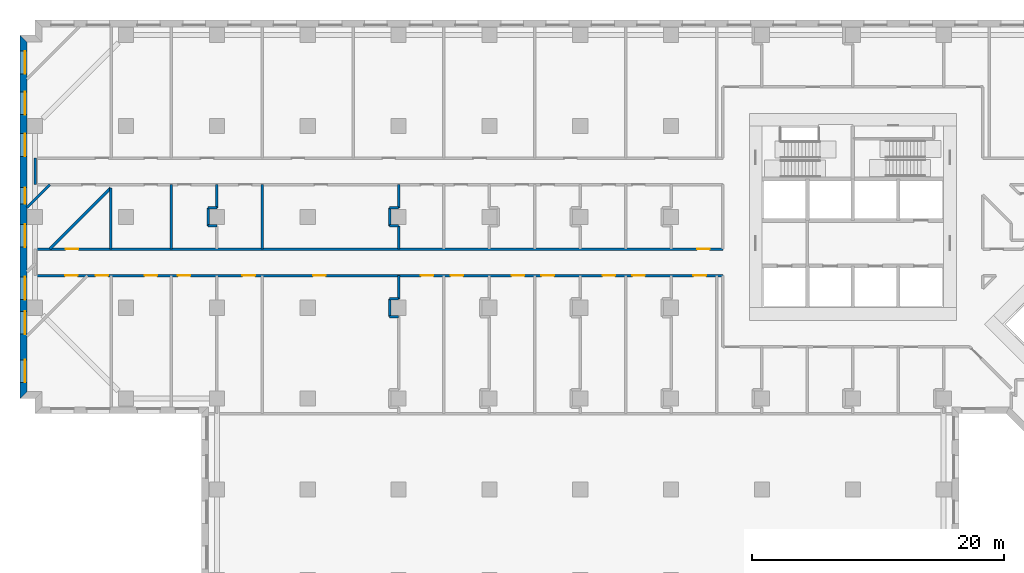
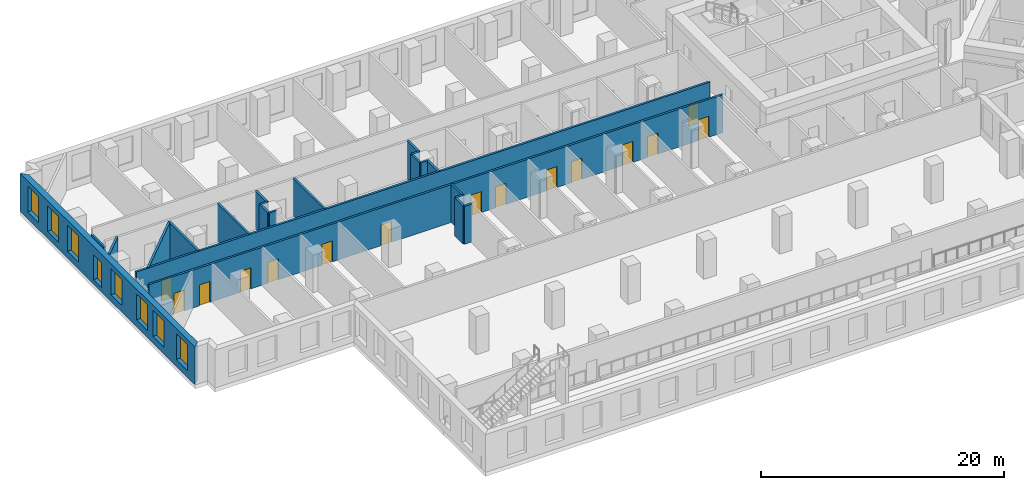
# One storey, part 4 of 14: 22 walls, 15 doors, 8 windows, 23 openings.
"""IFC4 building model written with IfcOpenShell, lengths in metres."""

from ifc_helpers import new_model, si_unit, direction, frame, frame_2d, origin, place, context, subcontext, project, spatial, polyline, rectangle, outline, extrude, material, layer, layer_set, type_object, element, fill, save


model = new_model("IFC4")

# Units and contexts
model_context = context("Model", 3, precision=1e-05, world=origin(), true_north=direction((0.0, 1.0)))
body_context = subcontext(model_context, "Body", "Model", "MODEL_VIEW")
ifc_project = project(units=[si_unit("LENGTHUNIT", "METRE"), si_unit("AREAUNIT", "SQUARE_METRE"), si_unit("VOLUMEUNIT", "CUBIC_METRE"), si_unit("PLANEANGLEUNIT", "RADIAN"), si_unit("MASSUNIT", "GRAM", prefix="KILO")], contexts=[model_context])

# Site, building, storey
site_placement = place(None, origin())
site = spatial("IfcSite", under=ifc_project, at=site_placement, CompositionType="ELEMENT")
building_placement = place(site_placement, origin())
building = spatial("IfcBuilding", under=site, at=building_placement, Name="Windrow Commons", CompositionType="ELEMENT")
storey_placement = place(building_placement, frame((0.0, 0.0, 10.2)))
storey = spatial("IfcBuildingStorey", under=building, at=storey_placement, Name="L02", CompositionType="ELEMENT", Elevation=10.2)

# Wall, openings, windows
ifc_material_1 = material(Name="Brick masonry, red clay brick", Category="masonry")
ifc_layer_1 = layer(ifc_material_1, 0.55)
ifc_layer_set_1 = layer_set([ifc_layer_1], Name="Brick facade wall 550")
wall_type_1 = type_object("IfcWallType", Name="Brick facade wall 550", PredefinedType="SOLIDWALL", material=ifc_layer_set_1)
wall_1_placement = place(storey_placement, frame((-0.925, 71.725, 0.0), z_axis=(0.0, 0.0, 1.0), x_axis=(0.0, -1.0, 0.0)))
wall_1 = element("IfcWall", 1, at=wall_1_placement, inside=storey, type_object=wall_type_1, Name="Brick facade wall L02 8", PredefinedType="SOLIDWALL", context=body_context, shape_type="SweptSolid", body=[
    extrude(outline(polyline([(-0.275, -0.275), (28.525, -0.275), (27.975, 0.275), (0.275, 0.275), (-0.275, -0.275)])), origin(), (0.0, 0.0, 1.0), 3.8),
])
opening_1_placement = place(wall_1_placement, frame((1.0, 0.0, 0.7)))
opening_1 = element("IfcOpeningElement", 2, at=opening_1_placement, cuts=wall_1, Name="Opening W2", PredefinedType="OPENING", context=body_context, shape_type="SweptSolid", body=[
    extrude(rectangle(XDim=1.8, YDim=2.6, at=frame_2d((0.9, 1.3))), frame((0.0, 0.285, 0.0), z_axis=(0.0, -1.0, 0.0), x_axis=(1.0, 0.0, 0.0)), (0.0, 0.0, 1.0), 0.57),
])
opening_2_placement = place(wall_1_placement, frame((4.225, 0.0, 0.7)))
opening_2 = element("IfcOpeningElement", 3, at=opening_2_placement, cuts=wall_1, Name="Opening W2", PredefinedType="OPENING", context=body_context, shape_type="SweptSolid", body=[
    extrude(rectangle(XDim=1.8, YDim=2.6, at=frame_2d((0.9, 1.3))), frame((0.0, 0.285, 0.0), z_axis=(0.0, -1.0, 0.0), x_axis=(1.0, 0.0, 0.0)), (0.0, 0.0, 1.0), 0.57),
])
opening_3_placement = place(wall_1_placement, frame((7.525, 0.0, 0.7)))
opening_3 = element("IfcOpeningElement", 4, at=opening_3_placement, cuts=wall_1, Name="Opening W2", PredefinedType="OPENING", context=body_context, shape_type="SweptSolid", body=[
    extrude(rectangle(XDim=1.8, YDim=2.6, at=frame_2d((0.9, 1.3))), frame((0.0, 0.285, 0.0), z_axis=(0.0, -1.0, 0.0), x_axis=(1.0, 0.0, 0.0)), (0.0, 0.0, 1.0), 0.57),
])
opening_4_placement = place(wall_1_placement, frame((14.725, 0.0, 0.7)))
opening_4 = element("IfcOpeningElement", 5, at=opening_4_placement, cuts=wall_1, Name="Opening W2", PredefinedType="OPENING", context=body_context, shape_type="SweptSolid", body=[
    extrude(rectangle(XDim=1.8, YDim=2.6, at=frame_2d((0.9, 1.3))), frame((0.0, 0.285, 0.0), z_axis=(0.0, -1.0, 0.0), x_axis=(1.0, 0.0, 0.0)), (0.0, 0.0, 1.0), 0.57),
])
opening_5_placement = place(wall_1_placement, frame((18.875, 0.0, 0.7)))
opening_5 = element("IfcOpeningElement", 6, at=opening_5_placement, cuts=wall_1, Name="Opening W2", PredefinedType="OPENING", context=body_context, shape_type="SweptSolid", body=[
    extrude(rectangle(XDim=1.8, YDim=2.6, at=frame_2d((0.9, 1.3))), frame((0.0, 0.285, 0.0), z_axis=(0.0, -1.0, 0.0), x_axis=(1.0, 0.0, 0.0)), (0.0, 0.0, 1.0), 0.57),
])
opening_6_placement = place(wall_1_placement, frame((21.625, 0.0, 0.7)))
opening_6 = element("IfcOpeningElement", 7, at=opening_6_placement, cuts=wall_1, Name="Opening W2", PredefinedType="OPENING", context=body_context, shape_type="SweptSolid", body=[
    extrude(rectangle(XDim=1.8, YDim=2.6, at=frame_2d((0.9, 1.3))), frame((0.0, 0.285, 0.0), z_axis=(0.0, -1.0, 0.0), x_axis=(1.0, 0.0, 0.0)), (0.0, 0.0, 1.0), 0.57),
])
opening_7_placement = place(wall_1_placement, frame((25.45, 0.0, 0.7)))
opening_7 = element("IfcOpeningElement", 8, at=opening_7_placement, cuts=wall_1, Name="Opening W2", PredefinedType="OPENING", context=body_context, shape_type="SweptSolid", body=[
    extrude(rectangle(XDim=1.8, YDim=2.6, at=frame_2d((0.9, 1.3))), frame((0.0, 0.285, 0.0), z_axis=(0.0, -1.0, 0.0), x_axis=(1.0, 0.0, 0.0)), (0.0, 0.0, 1.0), 0.57),
])
opening_8_placement = place(wall_1_placement, frame((11.8, 0.0, 0.45)))
opening_8 = element("IfcOpeningElement", 9, at=opening_8_placement, cuts=wall_1, Name="Opening W1Q", PredefinedType="OPENING", context=body_context, shape_type="SweptSolid", body=[
    extrude(rectangle(XDim=1.3, YDim=2.5, at=frame_2d((0.65, 1.25))), frame((0.0, 0.285, 0.0), z_axis=(0.0, -1.0, 0.0), x_axis=(1.0, 0.0, 0.0)), (0.0, 0.0, 1.0), 0.57),
])
ifc_material_2 = material(Name="Clear float glass in anodised aluminium frame", Category="aluminium")
window_type_1 = type_object("IfcWindowType", Name="Window W1Q pair 1300x2500", PartitioningType="SINGLE_PANEL", PredefinedType="WINDOW", material=ifc_material_2)
window_1_placement = place(opening_8_placement, origin())
window_1 = element("IfcWindow", 10, at=window_1_placement, inside=storey, type_object=window_type_1, Name="Window L02 8.4A", OverallHeight=2.5, OverallWidth=1.3, PartitioningType="SINGLE_PANEL", PredefinedType="WINDOW", context=body_context, shape_type="SweptSolid", body=[
    extrude(rectangle(XDim=1.3, YDim=2.5, at=frame_2d((0.65, 1.25))), frame((0.0, 0.155, 0.0), z_axis=(0.0, -1.0, 0.0), x_axis=(1.0, 0.0, 0.0)), (0.0, 0.0, 1.0), 0.06),
])
fill(opening_8, window_1)
ifc_material_3 = material(Name="Clear float glass in anodised aluminium frame", Category="aluminium")
window_type_2 = type_object("IfcWindowType", Name="Window W2 podium 1800x2600", PartitioningType="SINGLE_PANEL", PredefinedType="WINDOW", material=ifc_material_3)
window_2_placement = place(opening_1_placement, origin())
window_2 = element("IfcWindow", 11, at=window_2_placement, inside=storey, type_object=window_type_2, Name="Window L02 8.1", OverallHeight=2.6, OverallWidth=1.8, PartitioningType="SINGLE_PANEL", PredefinedType="WINDOW", context=body_context, shape_type="SweptSolid", body=[
    extrude(rectangle(XDim=1.8, YDim=2.6, at=frame_2d((0.9, 1.3))), frame((0.0, 0.155, 0.0), z_axis=(0.0, -1.0, 0.0), x_axis=(1.0, 0.0, 0.0)), (0.0, 0.0, 1.0), 0.06),
])
fill(opening_1, window_2)
window_3_placement = place(opening_2_placement, origin())
window_3 = element("IfcWindow", 12, at=window_3_placement, inside=storey, type_object=window_type_2, Name="Window L02 8.2", OverallHeight=2.6, OverallWidth=1.8, PartitioningType="SINGLE_PANEL", PredefinedType="WINDOW", context=body_context, shape_type="SweptSolid", body=[
    extrude(rectangle(XDim=1.8, YDim=2.6, at=frame_2d((0.9, 1.3))), frame((0.0, 0.155, 0.0), z_axis=(0.0, -1.0, 0.0), x_axis=(1.0, 0.0, 0.0)), (0.0, 0.0, 1.0), 0.06),
])
fill(opening_2, window_3)
window_4_placement = place(opening_3_placement, origin())
window_4 = element("IfcWindow", 13, at=window_4_placement, inside=storey, type_object=window_type_2, Name="Window L02 8.3", OverallHeight=2.6, OverallWidth=1.8, PartitioningType="SINGLE_PANEL", PredefinedType="WINDOW", context=body_context, shape_type="SweptSolid", body=[
    extrude(rectangle(XDim=1.8, YDim=2.6, at=frame_2d((0.9, 1.3))), frame((0.0, 0.155, 0.0), z_axis=(0.0, -1.0, 0.0), x_axis=(1.0, 0.0, 0.0)), (0.0, 0.0, 1.0), 0.06),
])
fill(opening_3, window_4)
window_5_placement = place(opening_4_placement, origin())
window_5 = element("IfcWindow", 14, at=window_5_placement, inside=storey, type_object=window_type_2, Name="Window L02 8.5", OverallHeight=2.6, OverallWidth=1.8, PartitioningType="SINGLE_PANEL", PredefinedType="WINDOW", context=body_context, shape_type="SweptSolid", body=[
    extrude(rectangle(XDim=1.8, YDim=2.6, at=frame_2d((0.9, 1.3))), frame((0.0, 0.155, 0.0), z_axis=(0.0, -1.0, 0.0), x_axis=(1.0, 0.0, 0.0)), (0.0, 0.0, 1.0), 0.06),
])
fill(opening_4, window_5)
window_6_placement = place(opening_5_placement, origin())
window_6 = element("IfcWindow", 15, at=window_6_placement, inside=storey, type_object=window_type_2, Name="Window L02 8.6", OverallHeight=2.6, OverallWidth=1.8, PartitioningType="SINGLE_PANEL", PredefinedType="WINDOW", context=body_context, shape_type="SweptSolid", body=[
    extrude(rectangle(XDim=1.8, YDim=2.6, at=frame_2d((0.9, 1.3))), frame((0.0, 0.155, 0.0), z_axis=(0.0, -1.0, 0.0), x_axis=(1.0, 0.0, 0.0)), (0.0, 0.0, 1.0), 0.06),
])
fill(opening_5, window_6)
window_7_placement = place(opening_6_placement, origin())
window_7 = element("IfcWindow", 16, at=window_7_placement, inside=storey, type_object=window_type_2, Name="Window L02 8.7", OverallHeight=2.6, OverallWidth=1.8, PartitioningType="SINGLE_PANEL", PredefinedType="WINDOW", context=body_context, shape_type="SweptSolid", body=[
    extrude(rectangle(XDim=1.8, YDim=2.6, at=frame_2d((0.9, 1.3))), frame((0.0, 0.155, 0.0), z_axis=(0.0, -1.0, 0.0), x_axis=(1.0, 0.0, 0.0)), (0.0, 0.0, 1.0), 0.06),
])
fill(opening_6, window_7)
window_8_placement = place(opening_7_placement, origin())
window_8 = element("IfcWindow", 17, at=window_8_placement, inside=storey, type_object=window_type_2, Name="Window L02 8.8", OverallHeight=2.6, OverallWidth=1.8, PartitioningType="SINGLE_PANEL", PredefinedType="WINDOW", context=body_context, shape_type="SweptSolid", body=[
    extrude(rectangle(XDim=1.8, YDim=2.6, at=frame_2d((0.9, 1.3))), frame((0.0, 0.155, 0.0), z_axis=(0.0, -1.0, 0.0), x_axis=(1.0, 0.0, 0.0)), (0.0, 0.0, 1.0), 0.06),
])
fill(opening_7, window_8)

# Wall, openings, doors
ifc_material_4 = material(Name="Blockwork partition", Category="masonry")
ifc_layer_2 = layer(ifc_material_4, 0.2)
ifc_layer_set_2 = layer_set([ifc_layer_2], Name="IW-CORRIDOR-200")
wall_type_2 = type_object("IfcWallType", Name="IW-CORRIDOR-200", PredefinedType="PARTITIONING", material=ifc_layer_set_2)
wall_2_placement = place(storey_placement, frame((0.0, 55.05, 0.0), z_axis=(0.0, 0.0, 1.0), x_axis=(1.0, 0.0, 0.0)))
wall_2 = element("IfcWall", 18, at=wall_2_placement, inside=storey, type_object=wall_type_2, Name="W-L02-W001", PredefinedType="PARTITIONING", context=body_context, shape_type="SweptSolid", body=[
    extrude(rectangle(XDim=54.5, YDim=0.2, at=frame_2d((27.25, 0.0))), origin(), (0.0, 0.0, 1.0), 3.8),
])
opening_9_placement = place(wall_2_placement, frame((52.4519, 0.0, 0.0)))
opening_9 = element("IfcOpeningElement", 19, at=opening_9_placement, cuts=wall_2, Name="Opening D310F", PredefinedType="OPENING", context=body_context, shape_type="SweptSolid", body=[
    extrude(rectangle(XDim=1.0, YDim=2.1, at=frame_2d((0.5, 1.05))), frame((0.0, 0.11, 0.0), z_axis=(0.0, -1.0, 0.0), x_axis=(1.0, 0.0, 0.0)), (0.0, 0.0, 1.0), 0.22),
])
opening_10_placement = place(wall_2_placement, frame((2.4195, 0.0, 0.0)))
opening_10 = element("IfcOpeningElement", 20, at=opening_10_placement, cuts=wall_2, Name="Opening D410F", PredefinedType="OPENING", context=body_context, shape_type="SweptSolid", body=[
    extrude(rectangle(XDim=1.0, YDim=2.1, at=frame_2d((0.5, 1.05))), frame((0.0, 0.11, 0.0), z_axis=(0.0, -1.0, 0.0), x_axis=(1.0, 0.0, 0.0)), (0.0, 0.0, 1.0), 0.22),
])
ifc_material_5 = material(Name="Timber door leaf", Category="wood")
door_type_1 = type_object("IfcDoorType", Name="DT-AMENITY-1000", OperationType="SINGLE_SWING_LEFT", PredefinedType="DOOR", material=ifc_material_5)
door_1_placement = place(opening_9_placement, origin())
door_1 = element("IfcDoor", 21, at=door_1_placement, inside=storey, type_object=door_type_1, Name="D-L02-D028", OperationType="SINGLE_SWING_RIGHT", OverallHeight=2.1, OverallWidth=1.0, PredefinedType="DOOR", context=body_context, shape_type="SweptSolid", body=[
    extrude(rectangle(XDim=1.0, YDim=2.1, at=frame_2d((0.5, 1.05))), frame((0.0, 0.025, 0.0), z_axis=(0.0, -1.0, 0.0), x_axis=(1.0, 0.0, 0.0)), (0.0, 0.0, 1.0), 0.05),
])
fill(opening_9, door_1)
ifc_material_6 = material(Name="Timber door leaf", Category="wood")
door_type_2 = type_object("IfcDoorType", Name="DT-SERVICE-1000", OperationType="SINGLE_SWING_LEFT", PredefinedType="DOOR", material=ifc_material_6)
door_2_placement = place(opening_10_placement, origin())
door_2 = element("IfcDoor", 22, at=door_2_placement, inside=storey, type_object=door_type_2, Name="D-L02-D053", OperationType="SINGLE_SWING_LEFT", OverallHeight=2.1, OverallWidth=1.0, PredefinedType="DOOR", context=body_context, shape_type="SweptSolid", body=[
    extrude(rectangle(XDim=1.0, YDim=2.1, at=frame_2d((0.5, 1.05))), frame((0.0, 0.025, 0.0), z_axis=(0.0, -1.0, 0.0), x_axis=(1.0, 0.0, 0.0)), (0.0, 0.0, 1.0), 0.05),
])
fill(opening_10, door_2)

wall_3_placement = place(storey_placement, frame((0.0, 52.95, 0.0), z_axis=(0.0, 0.0, 1.0), x_axis=(1.0, 0.0, 0.0)))
wall_3 = element("IfcWall", 23, at=wall_3_placement, inside=storey, type_object=wall_type_2, Name="W-L02-W002", PredefinedType="PARTITIONING", context=body_context, shape_type="SweptSolid", body=[
    extrude(rectangle(XDim=54.5, YDim=0.2, at=frame_2d((27.25, 0.0))), origin(), (0.0, 0.0, 1.0), 3.8),
])
opening_11_placement = place(wall_3_placement, frame((8.6687, 0.0, 0.0)))
opening_11 = element("IfcOpeningElement", 24, at=opening_11_placement, cuts=wall_3, Name="Opening D310F", PredefinedType="OPENING", context=body_context, shape_type="SweptSolid", body=[
    extrude(rectangle(XDim=1.0, YDim=2.1, at=frame_2d((0.5, 1.05))), frame((0.0, 0.11, 0.0), z_axis=(0.0, -1.0, 0.0), x_axis=(1.0, 0.0, 0.0)), (0.0, 0.0, 1.0), 0.22),
])
opening_12_placement = place(wall_3_placement, frame((11.3075, 0.0, 0.0)))
opening_12 = element("IfcOpeningElement", 25, at=opening_12_placement, cuts=wall_3, Name="Opening D310F", PredefinedType="OPENING", context=body_context, shape_type="SweptSolid", body=[
    extrude(rectangle(XDim=1.0, YDim=2.1, at=frame_2d((0.5, 1.05))), frame((0.0, 0.11, 0.0), z_axis=(0.0, -1.0, 0.0), x_axis=(1.0, 0.0, 0.0)), (0.0, 0.0, 1.0), 0.22),
])
opening_13_placement = place(wall_3_placement, frame((16.4325, 0.0, 0.0)))
opening_13 = element("IfcOpeningElement", 26, at=opening_13_placement, cuts=wall_3, Name="Opening D310F", PredefinedType="OPENING", context=body_context, shape_type="SweptSolid", body=[
    extrude(rectangle(XDim=1.0, YDim=2.1, at=frame_2d((0.5, 1.05))), frame((0.0, 0.11, 0.0), z_axis=(0.0, -1.0, 0.0), x_axis=(1.0, 0.0, 0.0)), (0.0, 0.0, 1.0), 0.22),
])
opening_14_placement = place(wall_3_placement, frame((22.025, 0.0, 0.0)))
opening_14 = element("IfcOpeningElement", 27, at=opening_14_placement, cuts=wall_3, Name="Opening D310F", PredefinedType="OPENING", context=body_context, shape_type="SweptSolid", body=[
    extrude(rectangle(XDim=1.0, YDim=2.1, at=frame_2d((0.5, 1.05))), frame((0.0, 0.11, 0.0), z_axis=(0.0, -1.0, 0.0), x_axis=(1.0, 0.0, 0.0)), (0.0, 0.0, 1.0), 0.22),
])
opening_15_placement = place(wall_3_placement, frame((30.565, 0.0, 0.0)))
opening_15 = element("IfcOpeningElement", 28, at=opening_15_placement, cuts=wall_3, Name="Opening D310F", PredefinedType="OPENING", context=body_context, shape_type="SweptSolid", body=[
    extrude(rectangle(XDim=1.0, YDim=2.1, at=frame_2d((0.5, 1.05))), frame((0.0, 0.11, 0.0), z_axis=(0.0, -1.0, 0.0), x_axis=(1.0, 0.0, 0.0)), (0.0, 0.0, 1.0), 0.22),
])
opening_16_placement = place(wall_3_placement, frame((32.925, 0.0, 0.0)))
opening_16 = element("IfcOpeningElement", 29, at=opening_16_placement, cuts=wall_3, Name="Opening D310F", PredefinedType="OPENING", context=body_context, shape_type="SweptSolid", body=[
    extrude(rectangle(XDim=1.0, YDim=2.1, at=frame_2d((0.5, 1.05))), frame((0.0, 0.11, 0.0), z_axis=(0.0, -1.0, 0.0), x_axis=(1.0, 0.0, 0.0)), (0.0, 0.0, 1.0), 0.22),
])
opening_17_placement = place(wall_3_placement, frame((37.765, 0.0, 0.0)))
opening_17 = element("IfcOpeningElement", 30, at=opening_17_placement, cuts=wall_3, Name="Opening D310F", PredefinedType="OPENING", context=body_context, shape_type="SweptSolid", body=[
    extrude(rectangle(XDim=1.0, YDim=2.1, at=frame_2d((0.5, 1.05))), frame((0.0, 0.11, 0.0), z_axis=(0.0, -1.0, 0.0), x_axis=(1.0, 0.0, 0.0)), (0.0, 0.0, 1.0), 0.22),
])
opening_18_placement = place(wall_3_placement, frame((40.125, 0.0, 0.0)))
opening_18 = element("IfcOpeningElement", 31, at=opening_18_placement, cuts=wall_3, Name="Opening D310F", PredefinedType="OPENING", context=body_context, shape_type="SweptSolid", body=[
    extrude(rectangle(XDim=1.0, YDim=2.1, at=frame_2d((0.5, 1.05))), frame((0.0, 0.11, 0.0), z_axis=(0.0, -1.0, 0.0), x_axis=(1.0, 0.0, 0.0)), (0.0, 0.0, 1.0), 0.22),
])
opening_19_placement = place(wall_3_placement, frame((44.965, 0.0, 0.0)))
opening_19 = element("IfcOpeningElement", 32, at=opening_19_placement, cuts=wall_3, Name="Opening D310F", PredefinedType="OPENING", context=body_context, shape_type="SweptSolid", body=[
    extrude(rectangle(XDim=1.0, YDim=2.1, at=frame_2d((0.5, 1.05))), frame((0.0, 0.11, 0.0), z_axis=(0.0, -1.0, 0.0), x_axis=(1.0, 0.0, 0.0)), (0.0, 0.0, 1.0), 0.22),
])
opening_20_placement = place(wall_3_placement, frame((47.325, 0.0, 0.0)))
opening_20 = element("IfcOpeningElement", 33, at=opening_20_placement, cuts=wall_3, Name="Opening D310F", PredefinedType="OPENING", context=body_context, shape_type="SweptSolid", body=[
    extrude(rectangle(XDim=1.0, YDim=2.1, at=frame_2d((0.5, 1.05))), frame((0.0, 0.11, 0.0), z_axis=(0.0, -1.0, 0.0), x_axis=(1.0, 0.0, 0.0)), (0.0, 0.0, 1.0), 0.22),
])
opening_21_placement = place(wall_3_placement, frame((52.165, 0.0, 0.0)))
opening_21 = element("IfcOpeningElement", 34, at=opening_21_placement, cuts=wall_3, Name="Opening D310F", PredefinedType="OPENING", context=body_context, shape_type="SweptSolid", body=[
    extrude(rectangle(XDim=1.0, YDim=2.1, at=frame_2d((0.5, 1.05))), frame((0.0, 0.11, 0.0), z_axis=(0.0, -1.0, 0.0), x_axis=(1.0, 0.0, 0.0)), (0.0, 0.0, 1.0), 0.22),
])
opening_22_placement = place(wall_3_placement, frame((2.3717, 0.0, 0.0)))
opening_22 = element("IfcOpeningElement", 35, at=opening_22_placement, cuts=wall_3, Name="Opening D310F", PredefinedType="OPENING", context=body_context, shape_type="SweptSolid", body=[
    extrude(rectangle(XDim=1.0, YDim=2.1, at=frame_2d((0.5, 1.05))), frame((0.0, 0.11, 0.0), z_axis=(0.0, -1.0, 0.0), x_axis=(1.0, 0.0, 0.0)), (0.0, 0.0, 1.0), 0.22),
])
opening_23_placement = place(wall_3_placement, frame((4.7916, 0.0, 0.0)))
opening_23 = element("IfcOpeningElement", 36, at=opening_23_placement, cuts=wall_3, Name="Opening D310F", PredefinedType="OPENING", context=body_context, shape_type="SweptSolid", body=[
    extrude(rectangle(XDim=1.0, YDim=2.1, at=frame_2d((0.5, 1.05))), frame((0.0, 0.11, 0.0), z_axis=(0.0, -1.0, 0.0), x_axis=(1.0, 0.0, 0.0)), (0.0, 0.0, 1.0), 0.22),
])
door_3_placement = place(opening_11_placement, origin())
door_3 = element("IfcDoor", 37, at=door_3_placement, inside=storey, type_object=door_type_1, Name="D-L02-D000", OperationType="SINGLE_SWING_LEFT", OverallHeight=2.1, OverallWidth=1.0, PredefinedType="DOOR", context=body_context, shape_type="SweptSolid", body=[
    extrude(rectangle(XDim=1.0, YDim=2.1, at=frame_2d((0.5, 1.05))), frame((0.0, 0.025, 0.0), z_axis=(0.0, -1.0, 0.0), x_axis=(1.0, 0.0, 0.0)), (0.0, 0.0, 1.0), 0.05),
])
fill(opening_11, door_3)
door_4_placement = place(opening_12_placement, origin())
door_4 = element("IfcDoor", 38, at=door_4_placement, inside=storey, type_object=door_type_1, Name="D-L02-D001", OperationType="SINGLE_SWING_RIGHT", OverallHeight=2.1, OverallWidth=1.0, PredefinedType="DOOR", context=body_context, shape_type="SweptSolid", body=[
    extrude(rectangle(XDim=1.0, YDim=2.1, at=frame_2d((0.5, 1.05))), frame((0.0, 0.025, 0.0), z_axis=(0.0, -1.0, 0.0), x_axis=(1.0, 0.0, 0.0)), (0.0, 0.0, 1.0), 0.05),
])
fill(opening_12, door_4)
door_5_placement = place(opening_13_placement, origin())
door_5 = element("IfcDoor", 39, at=door_5_placement, inside=storey, type_object=door_type_1, Name="D-L02-D002", OperationType="SINGLE_SWING_LEFT", OverallHeight=2.1, OverallWidth=1.0, PredefinedType="DOOR", context=body_context, shape_type="SweptSolid", body=[
    extrude(rectangle(XDim=1.0, YDim=2.1, at=frame_2d((0.5, 1.05))), frame((0.0, 0.025, 0.0), z_axis=(0.0, -1.0, 0.0), x_axis=(1.0, 0.0, 0.0)), (0.0, 0.0, 1.0), 0.05),
])
fill(opening_13, door_5)
door_6_placement = place(opening_14_placement, origin())
door_6 = element("IfcDoor", 40, at=door_6_placement, inside=storey, type_object=door_type_1, Name="D-L02-D003", OperationType="SINGLE_SWING_RIGHT", OverallHeight=2.1, OverallWidth=1.0, PredefinedType="DOOR", context=body_context, shape_type="SweptSolid", body=[
    extrude(rectangle(XDim=1.0, YDim=2.1, at=frame_2d((0.5, 1.05))), frame((0.0, 0.025, 0.0), z_axis=(0.0, -1.0, 0.0), x_axis=(1.0, 0.0, 0.0)), (0.0, 0.0, 1.0), 0.05),
])
fill(opening_14, door_6)
door_7_placement = place(opening_15_placement, origin())
door_7 = element("IfcDoor", 41, at=door_7_placement, inside=storey, type_object=door_type_1, Name="D-L02-D004", OperationType="SINGLE_SWING_LEFT", OverallHeight=2.1, OverallWidth=1.0, PredefinedType="DOOR", context=body_context, shape_type="SweptSolid", body=[
    extrude(rectangle(XDim=1.0, YDim=2.1, at=frame_2d((0.5, 1.05))), frame((0.0, 0.025, 0.0), z_axis=(0.0, -1.0, 0.0), x_axis=(1.0, 0.0, 0.0)), (0.0, 0.0, 1.0), 0.05),
])
fill(opening_15, door_7)
door_8_placement = place(opening_16_placement, origin())
door_8 = element("IfcDoor", 42, at=door_8_placement, inside=storey, type_object=door_type_1, Name="D-L02-D005", OperationType="SINGLE_SWING_RIGHT", OverallHeight=2.1, OverallWidth=1.0, PredefinedType="DOOR", context=body_context, shape_type="SweptSolid", body=[
    extrude(rectangle(XDim=1.0, YDim=2.1, at=frame_2d((0.5, 1.05))), frame((0.0, 0.025, 0.0), z_axis=(0.0, -1.0, 0.0), x_axis=(1.0, 0.0, 0.0)), (0.0, 0.0, 1.0), 0.05),
])
fill(opening_16, door_8)
door_9_placement = place(opening_17_placement, origin())
door_9 = element("IfcDoor", 43, at=door_9_placement, inside=storey, type_object=door_type_1, Name="D-L02-D006", OperationType="SINGLE_SWING_LEFT", OverallHeight=2.1, OverallWidth=1.0, PredefinedType="DOOR", context=body_context, shape_type="SweptSolid", body=[
    extrude(rectangle(XDim=1.0, YDim=2.1, at=frame_2d((0.5, 1.05))), frame((0.0, 0.025, 0.0), z_axis=(0.0, -1.0, 0.0), x_axis=(1.0, 0.0, 0.0)), (0.0, 0.0, 1.0), 0.05),
])
fill(opening_17, door_9)
door_10_placement = place(opening_18_placement, origin())
door_10 = element("IfcDoor", 44, at=door_10_placement, inside=storey, type_object=door_type_1, Name="D-L02-D007", OperationType="SINGLE_SWING_RIGHT", OverallHeight=2.1, OverallWidth=1.0, PredefinedType="DOOR", context=body_context, shape_type="SweptSolid", body=[
    extrude(rectangle(XDim=1.0, YDim=2.1, at=frame_2d((0.5, 1.05))), frame((0.0, 0.025, 0.0), z_axis=(0.0, -1.0, 0.0), x_axis=(1.0, 0.0, 0.0)), (0.0, 0.0, 1.0), 0.05),
])
fill(opening_18, door_10)
door_11_placement = place(opening_19_placement, origin())
door_11 = element("IfcDoor", 45, at=door_11_placement, inside=storey, type_object=door_type_1, Name="D-L02-D008", OperationType="SINGLE_SWING_LEFT", OverallHeight=2.1, OverallWidth=1.0, PredefinedType="DOOR", context=body_context, shape_type="SweptSolid", body=[
    extrude(rectangle(XDim=1.0, YDim=2.1, at=frame_2d((0.5, 1.05))), frame((0.0, 0.025, 0.0), z_axis=(0.0, -1.0, 0.0), x_axis=(1.0, 0.0, 0.0)), (0.0, 0.0, 1.0), 0.05),
])
fill(opening_19, door_11)
door_12_placement = place(opening_20_placement, origin())
door_12 = element("IfcDoor", 46, at=door_12_placement, inside=storey, type_object=door_type_1, Name="D-L02-D009", OperationType="SINGLE_SWING_RIGHT", OverallHeight=2.1, OverallWidth=1.0, PredefinedType="DOOR", context=body_context, shape_type="SweptSolid", body=[
    extrude(rectangle(XDim=1.0, YDim=2.1, at=frame_2d((0.5, 1.05))), frame((0.0, 0.025, 0.0), z_axis=(0.0, -1.0, 0.0), x_axis=(1.0, 0.0, 0.0)), (0.0, 0.0, 1.0), 0.05),
])
fill(opening_20, door_12)
door_13_placement = place(opening_21_placement, origin())
door_13 = element("IfcDoor", 47, at=door_13_placement, inside=storey, type_object=door_type_1, Name="D-L02-D010", OperationType="SINGLE_SWING_LEFT", OverallHeight=2.1, OverallWidth=1.0, PredefinedType="DOOR", context=body_context, shape_type="SweptSolid", body=[
    extrude(rectangle(XDim=1.0, YDim=2.1, at=frame_2d((0.5, 1.05))), frame((0.0, 0.025, 0.0), z_axis=(0.0, -1.0, 0.0), x_axis=(1.0, 0.0, 0.0)), (0.0, 0.0, 1.0), 0.05),
])
fill(opening_21, door_13)
door_14_placement = place(opening_22_placement, origin())
door_14 = element("IfcDoor", 48, at=door_14_placement, inside=storey, type_object=door_type_1, Name="D-L02-D052", OperationType="SINGLE_SWING_RIGHT", OverallHeight=2.1, OverallWidth=1.0, PredefinedType="DOOR", context=body_context, shape_type="SweptSolid", body=[
    extrude(rectangle(XDim=1.0, YDim=2.1, at=frame_2d((0.5, 1.05))), frame((0.0, 0.025, 0.0), z_axis=(0.0, -1.0, 0.0), x_axis=(1.0, 0.0, 0.0)), (0.0, 0.0, 1.0), 0.05),
])
fill(opening_22, door_14)
door_15_placement = place(opening_23_placement, origin())
door_15 = element("IfcDoor", 49, at=door_15_placement, inside=storey, type_object=door_type_1, Name="D-L02-D054", OperationType="SINGLE_SWING_LEFT", OverallHeight=2.1, OverallWidth=1.0, PredefinedType="DOOR", context=body_context, shape_type="SweptSolid", body=[
    extrude(rectangle(XDim=1.0, YDim=2.1, at=frame_2d((0.5, 1.05))), frame((0.0, 0.025, 0.0), z_axis=(0.0, -1.0, 0.0), x_axis=(1.0, 0.0, 0.0)), (0.0, 0.0, 1.0), 0.05),
])
fill(opening_23, door_15)

# Walls
wall_4_placement = place(storey_placement, frame((0.0, 60.152, 0.0), z_axis=(0.0, 0.0, 1.0), x_axis=(0.0, 1.0, 0.0)))
element("IfcWall", 50, at=wall_4_placement, inside=storey, type_object=wall_type_2, Name="W-L02-W082", PredefinedType="PARTITIONING", context=body_context, shape_type="SweptSolid", body=[
    extrude(rectangle(XDim=2.096, YDim=0.2, at=frame_2d((1.048, 0.0))), origin(), (0.0, 0.0, 1.0), 3.2),
])
ifc_material_7 = material(Name="Blockwork partition", Category="masonry")
ifc_layer_3 = layer(ifc_material_7, 0.2)
ifc_layer_set_3 = layer_set([ifc_layer_3], Name="IW-PARTY-200")
wall_type_3 = type_object("IfcWallType", Name="IW-PARTY-200", PredefinedType="PARTITIONING", material=ifc_layer_set_3)
wall_5_placement = place(storey_placement, frame((1.1552, 55.0508, 0.0), z_axis=(0.0, 0.0, 1.0), x_axis=(0.7071067812, 0.7071067812, 0.0)))
element("IfcWall", 51, at=wall_5_placement, inside=storey, type_object=wall_type_3, Name="W-L02-W034", PredefinedType="PARTITIONING", context=body_context, shape_type="SweptSolid", body=[
    extrude(rectangle(XDim=6.8505, YDim=0.2, at=frame_2d((3.4253, 0.0))), origin(), (0.0, 0.0, 1.0), 3.8),
])
for number, where, z_axis, x_axis, name in (
    (52, (10.8, 55.05, 0.0), (0.0, 0.0, 1.0), (0.0, 1.0, 0.0), "W-L02-W054"),
    (53, (18.0, 55.05, 0.0), (0.0, 0.0, 1.0), (0.0, 1.0, 0.0), "W-L02-W055"),
):
    element("IfcWall", number, at=place(storey_placement, frame(where, z_axis=z_axis, x_axis=x_axis)), inside=storey, type_object=wall_type_3, Name=name, PredefinedType="PARTITIONING", context=body_context, shape_type="SweptSolid", body=[
        extrude(rectangle(XDim=5.1, YDim=0.2, at=frame_2d((2.55, 0.0))), origin(), (0.0, 0.0, 1.0), 3.8),
    ])
wall_6_placement = place(storey_placement, frame((6.0, 55.05, 0.0), z_axis=(0.0, 0.0, 1.0), x_axis=(0.0, 1.0, 0.0)))
element("IfcWall", 54, at=wall_6_placement, inside=storey, type_object=wall_type_3, Name="W-L02-W060", PredefinedType="PARTITIONING", context=body_context, shape_type="SweptSolid", body=[
    extrude(rectangle(XDim=4.844, YDim=0.2, at=frame_2d((2.422, 0.0))), origin(), (0.0, 0.0, 1.0), 3.8),
])
wall_7_placement = place(storey_placement, frame((-0.65, 58.3368, 0.0), z_axis=(0.0, 0.0, 1.0), x_axis=(0.7071067812, 0.7071067812, 0.0)))
element("IfcWall", 55, at=wall_7_placement, inside=storey, type_object=wall_type_3, Name="W-L02-W076", PredefinedType="PARTITIONING", context=body_context, shape_type="SweptSolid", body=[
    extrude(rectangle(XDim=2.5648, YDim=0.2, at=frame_2d((1.2824, 0.0))), origin(), (0.0, 0.0, 1.0), 3.8),
])
for number, where, z_axis, x_axis, name in (
    (56, (14.4, 58.306, 0.0), (0.0, 0.0, 1.0), (0.0, 1.0, 0.0), "W-L02-W086"),
    (57, (28.8, 51.106, 0.0), (0.0, 0.0, 1.0), (0.0, 1.0, 0.0), "W-L02-W087"),
    (58, (28.8, 55.05, 0.0), (0.0, 0.0, 1.0), (0.0, 1.0, 0.0), "W-L02-W088"),
    (59, (28.8, 58.306, 0.0), (0.0, 0.0, 1.0), (0.0, 1.0, 0.0), "W-L02-W089"),
):
    element("IfcWall", number, at=place(storey_placement, frame(where, z_axis=z_axis, x_axis=x_axis)), inside=storey, type_object=wall_type_3, Name=name, PredefinedType="PARTITIONING", context=body_context, shape_type="SweptSolid", body=[
        extrude(rectangle(XDim=1.844, YDim=0.2, at=frame_2d((0.922, 0.0))), origin(), (0.0, 0.0, 1.0), 3.8),
    ])
for number, where, z_axis, x_axis, name in (
    (60, (13.7, 56.894, 0.0), (0.0, 0.0, 1.0), (0.0, 1.0, 0.0), "W-L02-W107"),
    (61, (28.1, 49.694, 0.0), (0.0, 0.0, 1.0), (0.0, 1.0, 0.0), "W-L02-W108"),
    (62, (28.1, 56.894, 0.0), (0.0, 0.0, 1.0), (0.0, 1.0, 0.0), "W-L02-W109"),
):
    element("IfcWall", number, at=place(storey_placement, frame(where, z_axis=z_axis, x_axis=x_axis)), inside=storey, type_object=wall_type_3, Name=name, PredefinedType="PARTITIONING", context=body_context, shape_type="SweptSolid", body=[
        extrude(rectangle(XDim=1.412, YDim=0.2, at=frame_2d((0.706, 0.0))), origin(), (0.0, 0.0, 1.0), 3.8),
    ])
for number, where, z_axis, x_axis, name in (
    (63, (13.7, 58.31, 0.0), (0.0, 0.0, 1.0), (1.0, 0.0, 0.0), "W-L02-W158"),
    (64, (13.7, 56.89, 0.0), (0.0, 0.0, 1.0), (1.0, 0.0, 0.0), "W-L02-W159"),
    (65, (28.1, 58.31, 0.0), (0.0, 0.0, 1.0), (1.0, 0.0, 0.0), "W-L02-W160"),
    (66, (28.1, 56.89, 0.0), (0.0, 0.0, 1.0), (1.0, 0.0, 0.0), "W-L02-W161"),
    (67, (28.1, 51.11, 0.0), (0.0, 0.0, 1.0), (1.0, 0.0, 0.0), "W-L02-W162"),
    (68, (28.1, 49.69, 0.0), (0.0, 0.0, 1.0), (1.0, 0.0, 0.0), "W-L02-W163"),
):
    element("IfcWall", number, at=place(storey_placement, frame(where, z_axis=z_axis, x_axis=x_axis)), inside=storey, type_object=wall_type_3, Name=name, PredefinedType="PARTITIONING", context=body_context, shape_type="SweptSolid", body=[
        extrude(rectangle(XDim=0.7, YDim=0.2, at=frame_2d((0.35, 0.0))), origin(), (0.0, 0.0, 1.0), 3.8),
    ])

save(model, "model.ifc")
